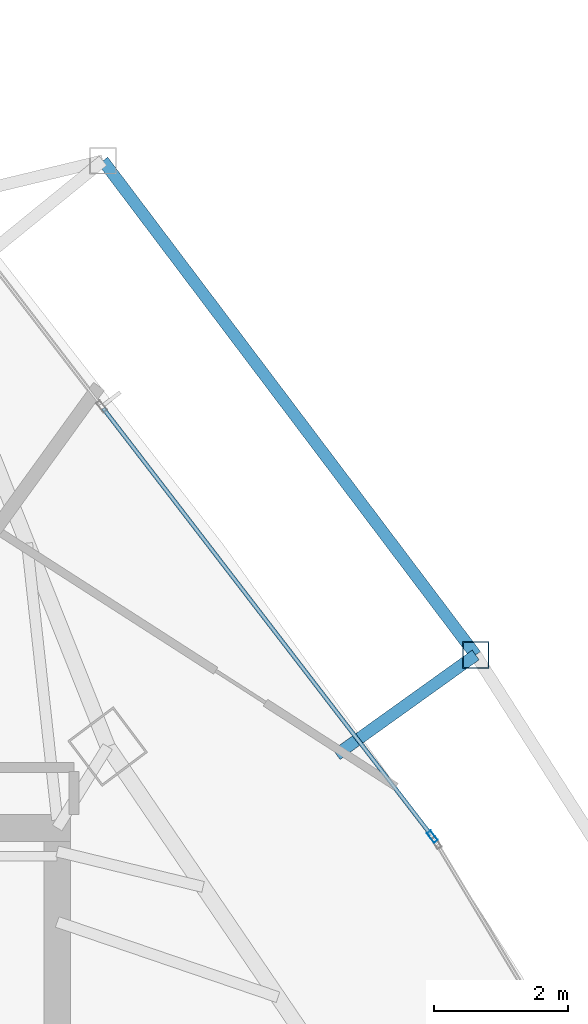
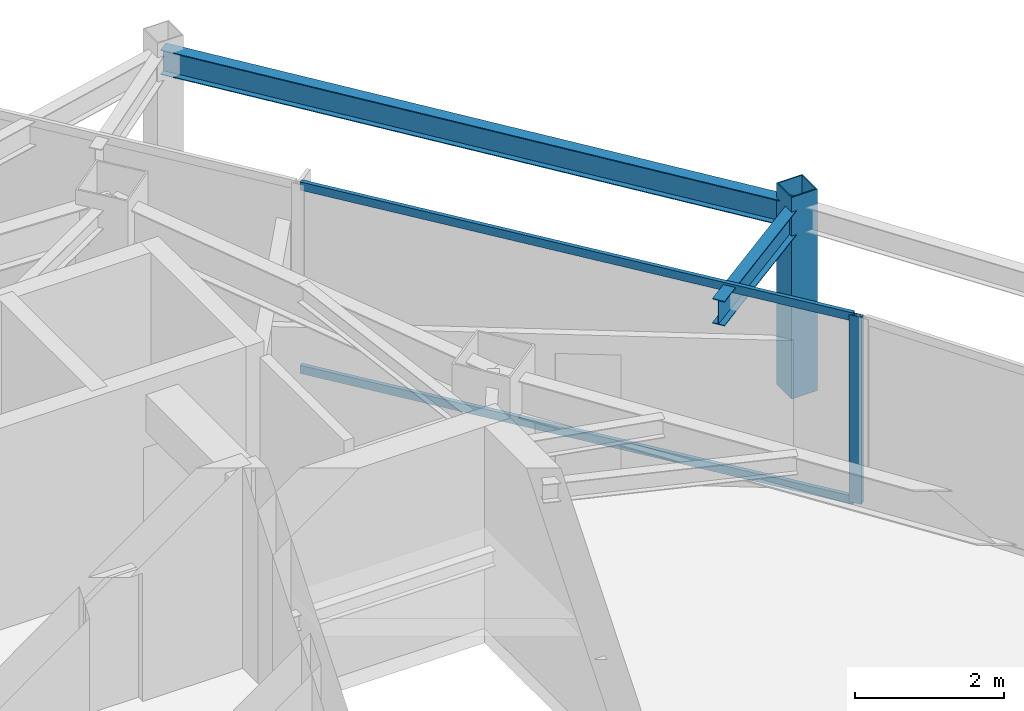
# One storey, part 22 of 29: 4 members, 2 beams, 1 element without a shape of its own.
"""IFC4 building model written with IfcOpenShell, lengths in metres."""

from ifc_helpers import new_model, si_unit, direction, frame, origin, origin_2d, place, context, subcontext, project, spatial, hollow_rectangle, i_section, extrude, material, layer, layer_set, material_profile, profile_set, type_object, element, aggregate, save


model = new_model("IFC4")

# Units and contexts
model_context = context("Model", 3, precision=1e-05, world=origin(), true_north=direction((0.0, 1.0)))
body_context = subcontext(model_context, "Body", "Model", "MODEL_VIEW")
ifc_project = project(units=[si_unit("LENGTHUNIT", "METRE"), si_unit("AREAUNIT", "SQUARE_METRE"), si_unit("VOLUMEUNIT", "CUBIC_METRE"), si_unit("PLANEANGLEUNIT", "RADIAN"), si_unit("MASSUNIT", "GRAM", prefix="KILO")], contexts=[model_context])

# Site, building, storey
site_placement = place(None, origin())
site = spatial("IfcSite", under=ifc_project, at=site_placement, CompositionType="ELEMENT")
building_placement = place(site_placement, origin())
building = spatial("IfcBuilding", under=site, at=building_placement, Name="Orvanel Arch Residences", CompositionType="ELEMENT")
storey_placement = place(building_placement, frame((0.0, 0.0, 173.75)))
storey = spatial("IfcBuildingStorey", under=building, at=storey_placement, Name="L49", CompositionType="ELEMENT", Elevation=173.75)

# Curtain wall, member
ifc_material_1 = material(Name="Bronze-anodised aluminium AA6063-T6", Category="aluminium")
ifc_layer = layer(ifc_material_1, 0.179931640625)
ifc_layer_set = layer_set([ifc_layer], Name="Bronze-anodised aluminium AA6063-T6")
curtain_wall_type = type_object("IfcCurtainWallType", Name="CW3-MID-SYS", PredefinedType="NOTDEFINED", material=ifc_layer_set)
curtain_wall_placement = place(storey_placement, origin())
curtain_wall = element("IfcCurtainWall", 1, at=curtain_wall_placement, inside=storey, type_object=curtain_wall_type, Name="L49 CW3-MID-SYS Unitised Curtain Wall", PredefinedType="NOTDEFINED")
ifc_material_profile_1 = material_profile(ifc_material_1, hollow_rectangle(XDim=0.070068359375, YDim=0.179931640625, WallThickness=0.00439453125, at=origin_2d()), Name="ALU180x70x4.5")
ifc_profile_set_1 = profile_set([ifc_material_profile_1], Name="Bronze-anodised aluminium AA6063-T6")
member_type_1 = type_object("IfcMemberType", Name="MUL-180x70", PredefinedType="MULLION", material=ifc_profile_set_1)
member_1_placement = place(storey_placement, frame((45.190673828125, 33.770751953125, 0.0), z_axis=(0.0, 0.0, 1.0), x_axis=(-0.792926030176, -0.60931790608, 0.0)))
member_1 = element("IfcMember", 2, at=member_1_placement, type_object=member_type_1, Name="CW-S3 mullion 1", PredefinedType="MULLION", context=body_context, shape_type="SweptSolid", body=[
    extrude(hollow_rectangle(XDim=0.070068359375, YDim=0.179931640625, WallThickness=0.00439453125, at=origin_2d()), origin(), (0.0, 0.0, 1.0), 3.06005859375),
])

# Beams
ifc_material_2 = material(Name="Structural steel AS/NZS 3679.1 Grade 300 (300 MPa)", Category="steel")
ifc_material_profile_2 = material_profile(ifc_material_2, i_section(OverallWidth=0.177978515625, OverallDepth=0.406005859375, WebThickness=0.0078125, FlangeThickness=0.0126953125, at=origin_2d()), Name="410UB59.7")
ifc_profile_set_2 = profile_set([ifc_material_profile_2], Name="Structural steel AS/NZS 3679.1 Grade 300 (300 MPa)")
beam_type = type_object("IfcBeamType", Name="OB-410UB-EXT", PredefinedType="SPANDREL", material=ifc_profile_set_2)
beam_1_placement = place(storey_placement, frame((43.763916015625, 34.992919921875, 2.85693359375), z_axis=(0.812917598106, 0.582378724447, 0.0), x_axis=(-0.582378724447, 0.812917598106, 0.0)))
element("IfcBeam", 3, at=beam_1_placement, inside=storey, type_object=beam_type, Name="L49 Outer Frame Radial Tie Beam 11", PredefinedType="SPANDREL", context=body_context, shape_type="SweptSolid", body=[
    extrude(i_section(OverallWidth=0.177978515625, OverallDepth=0.406005859375, WebThickness=0.0078125, FlangeThickness=0.0126953125, at=origin_2d()), origin(), (0.0, 0.0, 1.0), 2.550048828125),
])
beam_2_placement = place(storey_placement, frame((45.8369140625, 36.47802734375, 2.85693359375), z_axis=(-0.602110706673, 0.79841261069, 0.0), x_axis=(-0.79841261069, -0.602110706673, 0.0)))
element("IfcBeam", 4, at=beam_2_placement, inside=storey, type_object=beam_type, Name="L49 Outer Perimeter Floor Ring Beam 11", PredefinedType="SPANDREL", context=body_context, shape_type="SweptSolid", body=[
    extrude(i_section(OverallWidth=0.177978515625, OverallDepth=0.406005859375, WebThickness=0.0078125, FlangeThickness=0.0126953125, at=origin_2d()), origin(), (0.0, 0.0, 1.0), 9.225830078125),
])

# Member
ifc_material_3 = material(Name="Structural steel AS/NZS 1163 C450L0 (Grade 450)", Category="steel")
ifc_material_profile_3 = material_profile(ifc_material_3, hollow_rectangle(XDim=0.39990234375, YDim=0.39990234375, WallThickness=0.01611328125, at=origin_2d()), Name="SHS400x400x16")
ifc_profile_set_3 = profile_set([ifc_material_profile_3], Name="Structural steel AS/NZS 1163 C450L0 (Grade 450)")
member_type_2 = type_object("IfcMemberType", Name="ST-400SHS-EXT", PredefinedType="STRUT", material=ifc_profile_set_3)
member_2_placement = place(storey_placement, frame((45.8369140625, 36.47802734375, 0.0), z_axis=(0.0, 0.0, 1.0), x_axis=(1.0, 0.0, 0.0)))
element("IfcMember", 5, at=member_2_placement, inside=storey, type_object=member_type_2, Name="L49 Outer Perimeter Frame Post 11", PredefinedType="STRUT", context=body_context, shape_type="SweptSolid", body=[
    extrude(hollow_rectangle(XDim=0.39990234375, YDim=0.39990234375, WallThickness=0.01611328125, at=origin_2d()), origin(), (0.0, 0.0, 1.0), 3.300048828125),
])

ifc_material_profile_4 = material_profile(ifc_material_1, hollow_rectangle(XDim=0.06005859375, YDim=0.135009765625, WallThickness=0.00390625, at=origin_2d()), Name="ALU135x60x4")
ifc_profile_set_4 = profile_set([ifc_material_profile_4], Name="Bronze-anodised aluminium AA6063-T6")
member_type_3 = type_object("IfcMemberType", Name="TRN-135x60", PredefinedType="USERDEFINED", material=ifc_profile_set_4)
member_3_placement = place(storey_placement, frame((45.16943359375, 33.798583984375, 0.030029296875), z_axis=(-0.609320615479, 0.792923948151, 0.0), x_axis=(-0.792923948151, -0.609320615479, 0.0)))
member_3 = element("IfcMember", 6, at=member_3_placement, type_object=member_type_3, Name="CW-S3 transom 1.1", ObjectType="TRANSOM", PredefinedType="USERDEFINED", context=body_context, shape_type="SweptSolid", body=[
    extrude(hollow_rectangle(XDim=0.06005859375, YDim=0.135009765625, WallThickness=0.00390625, at=origin_2d()), origin(), (0.0, 0.0, 1.0), 8.015625),
])

member_4_placement = place(storey_placement, frame((45.16943359375, 33.798583984375, 3.030029296875), z_axis=(-0.609320615479, 0.792923948151, 0.0), x_axis=(-0.792923948151, -0.609320615479, 0.0)))
member_4 = element("IfcMember", 7, at=member_4_placement, type_object=member_type_3, Name="CW-S3 transom 1.2", ObjectType="TRANSOM", PredefinedType="USERDEFINED", context=body_context, shape_type="SweptSolid", body=[
    extrude(hollow_rectangle(XDim=0.06005859375, YDim=0.135009765625, WallThickness=0.00390625, at=origin_2d()), origin(), (0.0, 0.0, 1.0), 8.015625),
])

aggregate(curtain_wall, [member_1, member_3, member_4])

save(model, "model.ifc")
